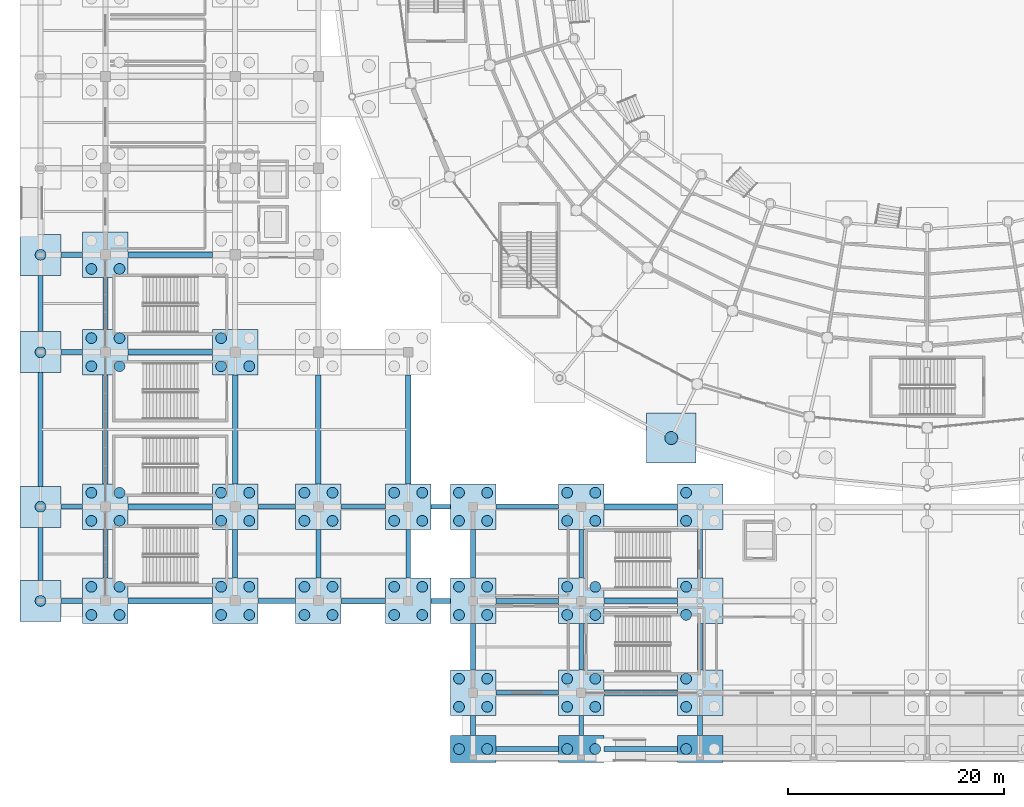
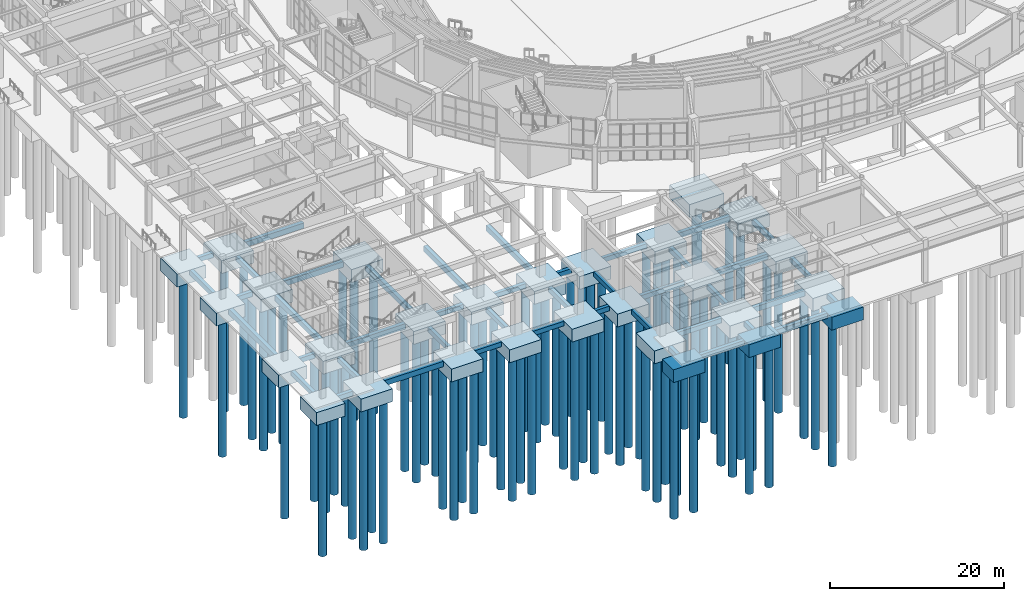
# One storey, part 1 of 121: 81 piles, 71 footings.
"""IFC4 building model written with IfcOpenShell, lengths in metres."""

from ifc_helpers import new_model, si_unit, direction, frame, origin, origin_2d, place, context, subcontext, project, spatial, rectangle, circle, extrude, material, material_profile, profile_set, type_object, element, save


model = new_model("IFC4")

# Units and contexts
model_context = context("Model", 3, precision=1e-05, world=origin(), true_north=direction((0.0, 1.0)))
body_context = subcontext(model_context, "Body", "Model", "MODEL_VIEW")
ifc_project = project(units=[si_unit("LENGTHUNIT", "METRE"), si_unit("AREAUNIT", "SQUARE_METRE"), si_unit("VOLUMEUNIT", "CUBIC_METRE"), si_unit("PLANEANGLEUNIT", "RADIAN"), si_unit("MASSUNIT", "GRAM", prefix="KILO")], contexts=[model_context])

# Site, building, storey
site_placement = place(None, origin())
site = spatial("IfcSite", under=ifc_project, at=site_placement, CompositionType="ELEMENT")
building_placement = place(site_placement, origin())
building = spatial("IfcBuilding", under=site, at=building_placement, Name="Cuetzalor Civic Arena", CompositionType="ELEMENT")
storey_placement = place(building_placement, origin())
storey = spatial("IfcBuildingStorey", under=building, at=storey_placement, Name="L00", CompositionType="ELEMENT", Elevation=0.0)

# Piles
ifc_material_1 = material(Name="Concrete C40/50", Category="concrete")
ifc_material_profile_1 = material_profile(ifc_material_1, circle(Radius=0.5, at=origin_2d()), Name="BORED PILE D1000")
ifc_profile_set_1 = profile_set([ifc_material_profile_1], Name="Concrete C40/50")
pile_type_1 = type_object("IfcPileType", Name="BoredPile_D1000", PredefinedType="BORED", material=ifc_profile_set_1)
for number, where, z_axis, x_axis, name in (
    (1, (-43.300048828125, -70.699951171875, -2.050048828125), (0.0, 0.0, -1.0), (1.0, 0.0, 0.0), "Bored Pile 0001"),
    (2, (-40.699951171875, -70.699951171875, -2.050048828125), (0.0, 0.0, -1.0), (1.0, 0.0, 0.0), "Bored Pile 0002"),
    (3, (-33.300048828125, -70.699951171875, -2.050048828125), (0.0, 0.0, -1.0), (1.0, 0.0, 0.0), "Bored Pile 0003"),
    (4, (-30.699951171875, -70.699951171875, -2.050048828125), (0.0, 0.0, -1.0), (1.0, 0.0, 0.0), "Bored Pile 0004"),
    (5, (-22.300048828125, -70.699951171875, -2.050048828125), (0.0, 0.0, -1.0), (1.0, 0.0, 0.0), "Bored Pile 0005"),
    (6, (-43.300048828125, -66.800048828125, -2.050048828125), (0.0, 0.0, -1.0), (1.0, 0.0, 0.0), "Bored Pile 0019"),
    (7, (-43.300048828125, -64.199951171875, -2.050048828125), (0.0, 0.0, -1.0), (1.0, 0.0, 0.0), "Bored Pile 0020"),
    (8, (-40.699951171875, -66.800048828125, -2.050048828125), (0.0, 0.0, -1.0), (1.0, 0.0, 0.0), "Bored Pile 0021"),
    (9, (-40.699951171875, -64.199951171875, -2.050048828125), (0.0, 0.0, -1.0), (1.0, 0.0, 0.0), "Bored Pile 0022"),
    (10, (-33.300048828125, -66.800048828125, -2.050048828125), (0.0, 0.0, -1.0), (1.0, 0.0, 0.0), "Bored Pile 0023"),
    (11, (-33.300048828125, -64.199951171875, -2.050048828125), (0.0, 0.0, -1.0), (1.0, 0.0, 0.0), "Bored Pile 0024"),
    (12, (-30.699951171875, -66.800048828125, -2.050048828125), (0.0, 0.0, -1.0), (1.0, 0.0, 0.0), "Bored Pile 0025"),
    (13, (-30.699951171875, -64.199951171875, -2.050048828125), (0.0, 0.0, -1.0), (1.0, 0.0, 0.0), "Bored Pile 0026"),
    (14, (-22.300048828125, -66.800048828125, -2.050048828125), (0.0, 0.0, -1.0), (1.0, 0.0, 0.0), "Bored Pile 0027"),
    (15, (-22.300048828125, -64.199951171875, -2.050048828125), (0.0, 0.0, -1.0), (1.0, 0.0, 0.0), "Bored Pile 0028"),
    (16, (-82.0, -57.0, -2.050048828125), (0.0, 0.0, -1.0), (1.0, 0.0, 0.0), "Bored Pile 0055"),
    (17, (-77.300048828125, -58.300048828125, -2.050048828125), (0.0, 0.0, -1.0), (1.0, 0.0, 0.0), "Bored Pile 0056"),
    (18, (-77.300048828125, -55.699951171875, -2.050048828125), (0.0, 0.0, -1.0), (1.0, 0.0, 0.0), "Bored Pile 0057"),
    (19, (-74.699951171875, -58.300048828125, -2.050048828125), (0.0, 0.0, -1.0), (1.0, 0.0, 0.0), "Bored Pile 0058"),
    (20, (-74.699951171875, -55.699951171875, -2.050048828125), (0.0, 0.0, -1.0), (1.0, 0.0, 0.0), "Bored Pile 0059"),
    (21, (-65.300048828125, -58.300048828125, -2.050048828125), (0.0, 0.0, -1.0), (1.0, 0.0, 0.0), "Bored Pile 0060"),
    (22, (-65.300048828125, -55.699951171875, -2.050048828125), (0.0, 0.0, -1.0), (1.0, 0.0, 0.0), "Bored Pile 0061"),
    (23, (-62.699951171875, -58.300048828125, -2.050048828125), (0.0, 0.0, -1.0), (1.0, 0.0, 0.0), "Bored Pile 0062"),
    (24, (-62.699951171875, -55.699951171875, -2.050048828125), (0.0, 0.0, -1.0), (1.0, 0.0, 0.0), "Bored Pile 0063"),
    (25, (-57.60009765625, -58.300048828125, -2.050048828125), (0.0, 0.0, -1.0), (1.0, 0.0, 0.0), "Bored Pile 0064"),
    (26, (-57.60009765625, -55.699951171875, -2.050048828125), (0.0, 0.0, -1.0), (1.0, 0.0, 0.0), "Bored Pile 0065"),
    (27, (-55.0, -58.300048828125, -2.050048828125), (0.0, 0.0, -1.0), (1.0, 0.0, 0.0), "Bored Pile 0066"),
    (28, (-55.0, -55.699951171875, -2.050048828125), (0.0, 0.0, -1.0), (1.0, 0.0, 0.0), "Bored Pile 0067"),
    (29, (-49.300048828125, -58.300048828125, -2.050048828125), (0.0, 0.0, -1.0), (1.0, 0.0, 0.0), "Bored Pile 0068"),
    (30, (-49.300048828125, -55.699951171875, -2.050048828125), (0.0, 0.0, -1.0), (1.0, 0.0, 0.0), "Bored Pile 0069"),
    (31, (-46.699951171875, -58.300048828125, -2.050048828125), (0.0, 0.0, -1.0), (1.0, 0.0, 0.0), "Bored Pile 0070"),
    (32, (-46.699951171875, -55.699951171875, -2.050048828125), (0.0, 0.0, -1.0), (1.0, 0.0, 0.0), "Bored Pile 0071"),
    (33, (-43.300048828125, -58.300048828125, -2.050048828125), (0.0, 0.0, -1.0), (1.0, 0.0, 0.0), "Bored Pile 0072"),
    (34, (-43.300048828125, -55.699951171875, -2.050048828125), (0.0, 0.0, -1.0), (1.0, 0.0, 0.0), "Bored Pile 0073"),
    (35, (-40.699951171875, -58.300048828125, -2.050048828125), (0.0, 0.0, -1.0), (1.0, 0.0, 0.0), "Bored Pile 0074"),
    (36, (-40.699951171875, -55.699951171875, -2.050048828125), (0.0, 0.0, -1.0), (1.0, 0.0, 0.0), "Bored Pile 0075"),
    (37, (-33.300048828125, -58.300048828125, -2.050048828125), (0.0, 0.0, -1.0), (1.0, 0.0, 0.0), "Bored Pile 0076"),
    (38, (-33.300048828125, -55.699951171875, -2.050048828125), (0.0, 0.0, -1.0), (1.0, 0.0, 0.0), "Bored Pile 0077"),
    (39, (-30.699951171875, -58.300048828125, -2.050048828125), (0.0, 0.0, -1.0), (1.0, 0.0, 0.0), "Bored Pile 0078"),
    (40, (-30.699951171875, -55.699951171875, -2.050048828125), (0.0, 0.0, -1.0), (1.0, 0.0, 0.0), "Bored Pile 0079"),
    (41, (-22.300048828125, -58.300048828125, -2.050048828125), (0.0, 0.0, -1.0), (1.0, 0.0, 0.0), "Bored Pile 0080"),
    (42, (-22.300048828125, -55.699951171875, -2.050048828125), (0.0, 0.0, -1.0), (1.0, 0.0, 0.0), "Bored Pile 0081"),
    (43, (-82.0, -48.300048828125, -2.050048828125), (0.0, 0.0, -1.0), (1.0, 0.0, 0.0), "Bored Pile 0121"),
    (44, (-77.300048828125, -49.60009765625, -2.050048828125), (0.0, 0.0, -1.0), (1.0, 0.0, 0.0), "Bored Pile 0122"),
    (45, (-77.300048828125, -47.0, -2.050048828125), (0.0, 0.0, -1.0), (1.0, 0.0, 0.0), "Bored Pile 0123"),
    (46, (-74.699951171875, -49.60009765625, -2.050048828125), (0.0, 0.0, -1.0), (1.0, 0.0, 0.0), "Bored Pile 0124"),
    (47, (-74.699951171875, -47.0, -2.050048828125), (0.0, 0.0, -1.0), (1.0, 0.0, 0.0), "Bored Pile 0125"),
    (48, (-65.300048828125, -49.60009765625, -2.050048828125), (0.0, 0.0, -1.0), (1.0, 0.0, 0.0), "Bored Pile 0126"),
    (49, (-65.300048828125, -47.0, -2.050048828125), (0.0, 0.0, -1.0), (1.0, 0.0, 0.0), "Bored Pile 0127"),
    (50, (-62.699951171875, -49.60009765625, -2.050048828125), (0.0, 0.0, -1.0), (1.0, 0.0, 0.0), "Bored Pile 0128"),
    (51, (-62.699951171875, -47.0, -2.050048828125), (0.0, 0.0, -1.0), (1.0, 0.0, 0.0), "Bored Pile 0129"),
    (52, (-57.60009765625, -49.60009765625, -2.050048828125), (0.0, 0.0, -1.0), (1.0, 0.0, 0.0), "Bored Pile 0130"),
    (53, (-57.60009765625, -47.0, -2.050048828125), (0.0, 0.0, -1.0), (1.0, 0.0, 0.0), "Bored Pile 0131"),
    (54, (-55.0, -49.60009765625, -2.050048828125), (0.0, 0.0, -1.0), (1.0, 0.0, 0.0), "Bored Pile 0132"),
    (55, (-55.0, -47.0, -2.050048828125), (0.0, 0.0, -1.0), (1.0, 0.0, 0.0), "Bored Pile 0133"),
    (56, (-49.300048828125, -49.60009765625, -2.050048828125), (0.0, 0.0, -1.0), (1.0, 0.0, 0.0), "Bored Pile 0134"),
    (57, (-49.300048828125, -47.0, -2.050048828125), (0.0, 0.0, -1.0), (1.0, 0.0, 0.0), "Bored Pile 0135"),
    (58, (-46.699951171875, -49.60009765625, -2.050048828125), (0.0, 0.0, -1.0), (1.0, 0.0, 0.0), "Bored Pile 0136"),
    (59, (-46.699951171875, -47.0, -2.050048828125), (0.0, 0.0, -1.0), (1.0, 0.0, 0.0), "Bored Pile 0137"),
    (60, (-43.300048828125, -49.60009765625, -2.050048828125), (0.0, 0.0, -1.0), (1.0, 0.0, 0.0), "Bored Pile 0138"),
    (61, (-43.300048828125, -47.0, -2.050048828125), (0.0, 0.0, -1.0), (1.0, 0.0, 0.0), "Bored Pile 0139"),
    (62, (-40.699951171875, -49.60009765625, -2.050048828125), (0.0, 0.0, -1.0), (1.0, 0.0, 0.0), "Bored Pile 0140"),
    (63, (-40.699951171875, -47.0, -2.050048828125), (0.0, 0.0, -1.0), (1.0, 0.0, 0.0), "Bored Pile 0141"),
    (64, (-33.300048828125, -49.60009765625, -2.050048828125), (0.0, 0.0, -1.0), (1.0, 0.0, 0.0), "Bored Pile 0142"),
    (65, (-33.300048828125, -47.0, -2.050048828125), (0.0, 0.0, -1.0), (1.0, 0.0, 0.0), "Bored Pile 0143"),
    (66, (-30.699951171875, -49.60009765625, -2.050048828125), (0.0, 0.0, -1.0), (1.0, 0.0, 0.0), "Bored Pile 0144"),
    (67, (-30.699951171875, -47.0, -2.050048828125), (0.0, 0.0, -1.0), (1.0, 0.0, 0.0), "Bored Pile 0145"),
    (68, (-22.300048828125, -49.60009765625, -2.050048828125), (0.0, 0.0, -1.0), (1.0, 0.0, 0.0), "Bored Pile 0146"),
    (69, (-22.300048828125, -47.0, -2.050048828125), (0.0, 0.0, -1.0), (1.0, 0.0, 0.0), "Bored Pile 0147"),
    (70, (-82.0, -34.0, -2.050048828125), (0.0, 0.0, -1.0), (1.0, 0.0, 0.0), "Bored Pile 0198"),
    (71, (-77.300048828125, -35.300048828125, -2.050048828125), (0.0, 0.0, -1.0), (1.0, 0.0, 0.0), "Bored Pile 0199"),
    (72, (-77.300048828125, -32.699951171875, -2.050048828125), (0.0, 0.0, -1.0), (1.0, 0.0, 0.0), "Bored Pile 0200"),
    (73, (-74.699951171875, -35.300048828125, -2.050048828125), (0.0, 0.0, -1.0), (1.0, 0.0, 0.0), "Bored Pile 0201"),
    (74, (-74.699951171875, -32.699951171875, -2.050048828125), (0.0, 0.0, -1.0), (1.0, 0.0, 0.0), "Bored Pile 0202"),
    (75, (-65.300048828125, -35.300048828125, -2.050048828125), (0.0, 0.0, -1.0), (1.0, 0.0, 0.0), "Bored Pile 0203"),
    (76, (-65.300048828125, -32.699951171875, -2.050048828125), (0.0, 0.0, -1.0), (1.0, 0.0, 0.0), "Bored Pile 0204"),
    (77, (-62.699951171875, -35.300048828125, -2.050048828125), (0.0, 0.0, -1.0), (1.0, 0.0, 0.0), "Bored Pile 0205"),
    (78, (-82.0, -25.0, -2.050048828125), (0.0, 0.0, -1.0), (1.0, 0.0, 0.0), "Bored Pile 0245"),
    (79, (-77.300048828125, -26.300048828125, -2.050048828125), (0.0, 0.0, -1.0), (1.0, 0.0, 0.0), "Bored Pile 0246"),
    (80, (-74.699951171875, -26.300048828125, -2.050048828125), (0.0, 0.0, -1.0), (1.0, 0.0, 0.0), "Bored Pile 0248"),
):
    element("IfcPile", number, at=place(storey_placement, frame(where, z_axis=z_axis, x_axis=x_axis)), inside=storey, type_object=pile_type_1, Name=name, PredefinedType="BORED", context=body_context, shape_type="SweptSolid", body=[
        extrude(circle(Radius=0.5, at=origin_2d()), origin(), (0.0, 0.0, 1.0), 19.949951171875),
    ])
ifc_material_2 = material(Name="Concrete C40/50", Category="concrete")
ifc_material_profile_2 = material_profile(ifc_material_2, circle(Radius=0.60009765625, at=origin_2d()), Name="BORED PILE D1200")
ifc_profile_set_2 = profile_set([ifc_material_profile_2], Name="Concrete C40/50")
pile_type_2 = type_object("IfcPileType", Name="BoredPile_D1200", PredefinedType="BORED", material=ifc_profile_set_2)
pile_placement = place(storey_placement, frame((-23.66845703125, -41.940185546875, -2.050048828125), z_axis=(0.0, 0.0, -1.0), x_axis=(1.0, 0.0, 0.0)))
element("IfcPile", 81, at=pile_placement, inside=storey, type_object=pile_type_2, Name="Bored Pile 0189", PredefinedType="BORED", context=body_context, shape_type="SweptSolid", body=[
    extrude(circle(Radius=0.60009765625, at=origin_2d()), origin(), (0.0, 0.0, 1.0), 19.949951171875),
])

# Footings
ifc_material_3 = material(Name="Concrete C40/50", Category="concrete")
footing_type_1 = type_object("IfcFootingType", Name="CombinedPileCap_A", PredefinedType="PILE_CAP", material=ifc_material_3)
for number, where, z_axis, x_axis, name in (
    (82, (-42.0, -65.5, -2.14990234375), (0.0, 0.0, 1.0), (1.0, 0.0, 0.0), "Combined Pile Cap 010"),
    (83, (-32.0, -65.5, -2.14990234375), (0.0, 0.0, 1.0), (1.0, 0.0, 0.0), "Combined Pile Cap 011"),
    (84, (-21.0, -65.5, -2.14990234375), (0.0, 0.0, 1.0), (1.0, 0.0, 0.0), "Combined Pile Cap 012"),
    (85, (-76.0, -57.0, -2.14990234375), (0.0, 0.0, 1.0), (1.0, 0.0, 0.0), "Combined Pile Cap 020"),
    (86, (-64.0, -57.0, -2.14990234375), (0.0, 0.0, 1.0), (1.0, 0.0, 0.0), "Combined Pile Cap 021"),
    (87, (-56.300048828125, -57.0, -2.14990234375), (0.0, 0.0, 1.0), (1.0, 0.0, 0.0), "Combined Pile Cap 022"),
    (88, (-48.0, -57.0, -2.14990234375), (0.0, 0.0, 1.0), (1.0, 0.0, 0.0), "Combined Pile Cap 023"),
    (89, (-42.0, -57.0, -2.14990234375), (0.0, 0.0, 1.0), (1.0, 0.0, 0.0), "Combined Pile Cap 024"),
    (90, (-32.0, -57.0, -2.14990234375), (0.0, 0.0, 1.0), (1.0, 0.0, 0.0), "Combined Pile Cap 025"),
    (91, (-21.0, -57.0, -2.14990234375), (0.0, 0.0, 1.0), (1.0, 0.0, 0.0), "Combined Pile Cap 026"),
    (92, (-76.0, -48.300048828125, -2.14990234375), (0.0, 0.0, 1.0), (1.0, 0.0, 0.0), "Combined Pile Cap 038"),
    (93, (-64.0, -48.300048828125, -2.14990234375), (0.0, 0.0, 1.0), (1.0, 0.0, 0.0), "Combined Pile Cap 039"),
    (94, (-56.300048828125, -48.300048828125, -2.14990234375), (0.0, 0.0, 1.0), (1.0, 0.0, 0.0), "Combined Pile Cap 040"),
    (95, (-48.0, -48.300048828125, -2.14990234375), (0.0, 0.0, 1.0), (1.0, 0.0, 0.0), "Combined Pile Cap 041"),
    (96, (-42.0, -48.300048828125, -2.14990234375), (0.0, 0.0, 1.0), (1.0, 0.0, 0.0), "Combined Pile Cap 042"),
    (97, (-32.0, -48.300048828125, -2.14990234375), (0.0, 0.0, 1.0), (1.0, 0.0, 0.0), "Combined Pile Cap 043"),
    (98, (-21.0, -48.300048828125, -2.14990234375), (0.0, 0.0, 1.0), (1.0, 0.0, 0.0), "Combined Pile Cap 044"),
    (99, (-76.0, -34.0, -2.14990234375), (0.0, 0.0, 1.0), (1.0, 0.0, 0.0), "Combined Pile Cap 066"),
    (100, (-64.0, -34.0, -2.14990234375), (0.0, 0.0, 1.0), (1.0, 0.0, 0.0), "Combined Pile Cap 067"),
    (101, (-76.0, -25.0, -2.14990234375), (0.0, 0.0, 1.0), (1.0, 0.0, 0.0), "Combined Pile Cap 089"),
):
    element("IfcFooting", number, at=place(storey_placement, frame(where, z_axis=z_axis, x_axis=x_axis)), inside=storey, type_object=footing_type_1, Name=name, PredefinedType="PILE_CAP", context=body_context, shape_type="SweptSolid", body=[
        extrude(rectangle(XDim=4.199951171875, YDim=4.199951171875, at=origin_2d()), origin(), (0.0, 0.0, 1.0), 1.800048828125),
    ])
ifc_material_4 = material(Name="Concrete C40/50", Category="concrete")
footing_type_2 = type_object("IfcFootingType", Name="CombinedPileCap_B", PredefinedType="PILE_CAP", material=ifc_material_4)
footing_1_placement = place(storey_placement, frame((-23.66845703125, -41.940185546875, -2.14990234375), z_axis=(0.0, 0.0, 1.0), x_axis=(1.0, 0.0, 0.0)))
element("IfcFooting", 102, at=footing_1_placement, inside=storey, type_object=footing_type_2, Name="Combined Pile Cap 056", PredefinedType="PILE_CAP", context=body_context, shape_type="SweptSolid", body=[
    extrude(rectangle(XDim=4.60009765625, YDim=4.60009765625, at=origin_2d()), origin(), (0.0, 0.0, 1.0), 1.800048828125),
])
ifc_material_5 = material(Name="Concrete C40/50", Category="concrete")
footing_type_3 = type_object("IfcFootingType", Name="CombinedPileCap_M", PredefinedType="PILE_CAP", material=ifc_material_5)
for number, where, z_axis, x_axis, name in (
    (103, (-82.0, -57.0, -2.14990234375), (0.0, 0.0, 1.0), (1.0, 0.0, 0.0), "Combined Pile Cap 019"),
    (104, (-82.0, -48.300048828125, -2.14990234375), (0.0, 0.0, 1.0), (1.0, 0.0, 0.0), "Combined Pile Cap 037"),
    (105, (-82.0, -34.0, -2.14990234375), (0.0, 0.0, 1.0), (1.0, 0.0, 0.0), "Combined Pile Cap 065"),
    (106, (-82.0, -25.0, -2.14990234375), (0.0, 0.0, 1.0), (1.0, 0.0, 0.0), "Combined Pile Cap 088"),
):
    element("IfcFooting", number, at=place(storey_placement, frame(where, z_axis=z_axis, x_axis=x_axis)), inside=storey, type_object=footing_type_3, Name=name, PredefinedType="PILE_CAP", context=body_context, shape_type="SweptSolid", body=[
        extrude(rectangle(XDim=3.800048828125, YDim=3.800048828125, at=origin_2d()), origin(), (0.0, 0.0, 1.0), 1.800048828125),
    ])
ifc_material_6 = material(Name="Concrete C40/50", Category="concrete")
ifc_material_profile_3 = material_profile(ifc_material_6, rectangle(XDim=0.449951171875, YDim=0.64990234375, at=origin_2d()), Name="RC 450x650")
ifc_profile_set_3 = profile_set([ifc_material_profile_3], Name="Concrete C40/50")
footing_type_4 = type_object("IfcFootingType", Name="GroundTieBeam_450x650", PredefinedType="FOOTING_BEAM", material=ifc_profile_set_3)
footing_2_placement = place(storey_placement, frame((-39.89990234375, -70.699951171875, -0.675048828125), z_axis=(1.0, 0.0, 0.0), x_axis=(0.0, 1.0, 0.0)))
element("IfcFooting", 107, at=footing_2_placement, inside=storey, type_object=footing_type_4, Name="Ground Tie Beam 001", PredefinedType="FOOTING_BEAM", context=body_context, shape_type="SweptSolid", body=[
    extrude(rectangle(XDim=0.449951171875, YDim=0.64990234375, at=origin_2d()), origin(), (0.0, 0.0, 1.0), 5.7998046875),
])
for number, where, z_axis, x_axis, name in (
    (108, (-42.0, -69.449951171875, -0.675048828125), (0.0, 1.0, 0.0), (-1.0, 0.0, 0.0), "Ground Tie Beam 002"),
    (109, (-32.0, -69.449951171875, -0.675048828125), (0.0, 1.0, 0.0), (-1.0, 0.0, 0.0), "Ground Tie Beam 004"),
    (110, (-21.0, -69.449951171875, -0.675048828125), (0.0, 1.0, 0.0), (-1.0, 0.0, 0.0), "Ground Tie Beam 006"),
):
    element("IfcFooting", number, at=place(storey_placement, frame(where, z_axis=z_axis, x_axis=x_axis)), inside=storey, type_object=footing_type_4, Name=name, PredefinedType="FOOTING_BEAM", context=body_context, shape_type="SweptSolid", body=[
        extrude(rectangle(XDim=0.449951171875, YDim=0.64990234375, at=origin_2d()), origin(), (0.0, 0.0, 1.0), 1.849853515625),
    ])
footing_3_placement = place(storey_placement, frame((-39.89990234375, -65.5, -0.675048828125), z_axis=(1.0, 0.0, 0.0), x_axis=(0.0, 1.0, 0.0)))
element("IfcFooting", 111, at=footing_3_placement, inside=storey, type_object=footing_type_4, Name="Ground Tie Beam 018", PredefinedType="FOOTING_BEAM", context=body_context, shape_type="SweptSolid", body=[
    extrude(rectangle(XDim=0.449951171875, YDim=0.64990234375, at=origin_2d()), origin(), (0.0, 0.0, 1.0), 5.7998046875),
])
for number, where, z_axis, x_axis, name in (
    (112, (-42.0, -63.39990234375, -0.675048828125), (0.0, 1.0, 0.0), (-1.0, 0.0, 0.0), "Ground Tie Beam 019"),
    (113, (-32.0, -63.39990234375, -0.675048828125), (0.0, 1.0, 0.0), (-1.0, 0.0, 0.0), "Ground Tie Beam 021"),
    (114, (-21.0, -63.39990234375, -0.675048828125), (0.0, 1.0, 0.0), (-1.0, 0.0, 0.0), "Ground Tie Beam 023"),
):
    element("IfcFooting", number, at=place(storey_placement, frame(where, z_axis=z_axis, x_axis=x_axis)), inside=storey, type_object=footing_type_4, Name=name, PredefinedType="FOOTING_BEAM", context=body_context, shape_type="SweptSolid", body=[
        extrude(rectangle(XDim=0.449951171875, YDim=0.64990234375, at=origin_2d()), origin(), (0.0, 0.0, 1.0), 4.2998046875),
    ])
footing_4_placement = place(storey_placement, frame((-80.10009765625, -57.0, -0.675048828125), z_axis=(1.0, 0.0, 0.0), x_axis=(0.0, 1.0, 0.0)))
element("IfcFooting", 115, at=footing_4_placement, inside=storey, type_object=footing_type_4, Name="Ground Tie Beam 034", PredefinedType="FOOTING_BEAM", context=body_context, shape_type="SweptSolid", body=[
    extrude(rectangle(XDim=0.449951171875, YDim=0.64990234375, at=origin_2d()), origin(), (0.0, 0.0, 1.0), 2.0),
])
footing_5_placement = place(storey_placement, frame((-82.0, -55.10009765625, -0.675048828125), z_axis=(0.0, 1.0, 0.0), x_axis=(-1.0, 0.0, 0.0)))
element("IfcFooting", 116, at=footing_5_placement, inside=storey, type_object=footing_type_4, Name="Ground Tie Beam 035", PredefinedType="FOOTING_BEAM", context=body_context, shape_type="SweptSolid", body=[
    extrude(rectangle(XDim=0.449951171875, YDim=0.64990234375, at=origin_2d()), origin(), (0.0, 0.0, 1.0), 4.900146484375),
])
footing_6_placement = place(storey_placement, frame((-76.0, -54.89990234375, -0.675048828125), z_axis=(0.0, 1.0, 0.0), x_axis=(-1.0, 0.0, 0.0)))
element("IfcFooting", 117, at=footing_6_placement, inside=storey, type_object=footing_type_4, Name="Ground Tie Beam 037", PredefinedType="FOOTING_BEAM", context=body_context, shape_type="SweptSolid", body=[
    extrude(rectangle(XDim=0.449951171875, YDim=0.64990234375, at=origin_2d()), origin(), (0.0, 0.0, 1.0), 4.5),
])
footing_7_placement = place(storey_placement, frame((-61.89990234375, -57.0, -0.675048828125), z_axis=(1.0, 0.0, 0.0), x_axis=(0.0, 1.0, 0.0)))
element("IfcFooting", 118, at=footing_7_placement, inside=storey, type_object=footing_type_4, Name="Ground Tie Beam 038", PredefinedType="FOOTING_BEAM", context=body_context, shape_type="SweptSolid", body=[
    extrude(rectangle(XDim=0.449951171875, YDim=0.64990234375, at=origin_2d()), origin(), (0.0, 0.0, 1.0), 3.5),
])
footing_8_placement = place(storey_placement, frame((-64.0, -54.89990234375, -0.675048828125), z_axis=(0.0, 1.0, 0.0), x_axis=(-1.0, 0.0, 0.0)))
element("IfcFooting", 119, at=footing_8_placement, inside=storey, type_object=footing_type_4, Name="Ground Tie Beam 039", PredefinedType="FOOTING_BEAM", context=body_context, shape_type="SweptSolid", body=[
    extrude(rectangle(XDim=0.449951171875, YDim=0.64990234375, at=origin_2d()), origin(), (0.0, 0.0, 1.0), 4.5),
])
footing_9_placement = place(storey_placement, frame((-54.199951171875, -57.0, -0.675048828125), z_axis=(1.0, 0.0, 0.0), x_axis=(0.0, 1.0, 0.0)))
element("IfcFooting", 120, at=footing_9_placement, inside=storey, type_object=footing_type_4, Name="Ground Tie Beam 040", PredefinedType="FOOTING_BEAM", context=body_context, shape_type="SweptSolid", body=[
    extrude(rectangle(XDim=0.449951171875, YDim=0.64990234375, at=origin_2d()), origin(), (0.0, 0.0, 1.0), 4.099853515625),
])
footing_10_placement = place(storey_placement, frame((-56.300048828125, -54.89990234375, -0.675048828125), z_axis=(0.0, 1.0, 0.0), x_axis=(-1.0, 0.0, 0.0)))
element("IfcFooting", 121, at=footing_10_placement, inside=storey, type_object=footing_type_4, Name="Ground Tie Beam 041", PredefinedType="FOOTING_BEAM", context=body_context, shape_type="SweptSolid", body=[
    extrude(rectangle(XDim=0.449951171875, YDim=0.64990234375, at=origin_2d()), origin(), (0.0, 0.0, 1.0), 4.5),
])
footing_11_placement = place(storey_placement, frame((-45.89990234375, -57.0, -0.675048828125), z_axis=(1.0, 0.0, 0.0), x_axis=(0.0, 1.0, 0.0)))
element("IfcFooting", 122, at=footing_11_placement, inside=storey, type_object=footing_type_4, Name="Ground Tie Beam 042", PredefinedType="FOOTING_BEAM", context=body_context, shape_type="SweptSolid", body=[
    extrude(rectangle(XDim=0.449951171875, YDim=0.64990234375, at=origin_2d()), origin(), (0.0, 0.0, 1.0), 1.7998046875),
])
footing_12_placement = place(storey_placement, frame((-48.0, -54.89990234375, -0.675048828125), z_axis=(0.0, 1.0, 0.0), x_axis=(-1.0, 0.0, 0.0)))
element("IfcFooting", 123, at=footing_12_placement, inside=storey, type_object=footing_type_4, Name="Ground Tie Beam 043", PredefinedType="FOOTING_BEAM", context=body_context, shape_type="SweptSolid", body=[
    extrude(rectangle(XDim=0.449951171875, YDim=0.64990234375, at=origin_2d()), origin(), (0.0, 0.0, 1.0), 4.5),
])
footing_13_placement = place(storey_placement, frame((-39.89990234375, -57.0, -0.675048828125), z_axis=(1.0, 0.0, 0.0), x_axis=(0.0, 1.0, 0.0)))
element("IfcFooting", 124, at=footing_13_placement, inside=storey, type_object=footing_type_4, Name="Ground Tie Beam 044", PredefinedType="FOOTING_BEAM", context=body_context, shape_type="SweptSolid", body=[
    extrude(rectangle(XDim=0.449951171875, YDim=0.64990234375, at=origin_2d()), origin(), (0.0, 0.0, 1.0), 5.7998046875),
])
for number, where, z_axis, x_axis, name in (
    (125, (-42.0, -54.89990234375, -0.675048828125), (0.0, 1.0, 0.0), (-1.0, 0.0, 0.0), "Ground Tie Beam 045"),
    (126, (-32.0, -54.89990234375, -0.675048828125), (0.0, 1.0, 0.0), (-1.0, 0.0, 0.0), "Ground Tie Beam 047"),
    (127, (-21.0, -54.89990234375, -0.675048828125), (0.0, 1.0, 0.0), (-1.0, 0.0, 0.0), "Ground Tie Beam 049"),
):
    element("IfcFooting", number, at=place(storey_placement, frame(where, z_axis=z_axis, x_axis=x_axis)), inside=storey, type_object=footing_type_4, Name=name, PredefinedType="FOOTING_BEAM", context=body_context, shape_type="SweptSolid", body=[
        extrude(rectangle(XDim=0.449951171875, YDim=0.64990234375, at=origin_2d()), origin(), (0.0, 0.0, 1.0), 4.5),
    ])
footing_14_placement = place(storey_placement, frame((-80.10009765625, -48.300048828125, -0.675048828125), z_axis=(1.0, 0.0, 0.0), x_axis=(0.0, 1.0, 0.0)))
element("IfcFooting", 128, at=footing_14_placement, inside=storey, type_object=footing_type_4, Name="Ground Tie Beam 066", PredefinedType="FOOTING_BEAM", context=body_context, shape_type="SweptSolid", body=[
    extrude(rectangle(XDim=0.449951171875, YDim=0.64990234375, at=origin_2d()), origin(), (0.0, 0.0, 1.0), 2.0),
])
footing_15_placement = place(storey_placement, frame((-61.89990234375, -48.300048828125, -0.675048828125), z_axis=(1.0, 0.0, 0.0), x_axis=(0.0, 1.0, 0.0)))
element("IfcFooting", 129, at=footing_15_placement, inside=storey, type_object=footing_type_4, Name="Ground Tie Beam 070", PredefinedType="FOOTING_BEAM", context=body_context, shape_type="SweptSolid", body=[
    extrude(rectangle(XDim=0.449951171875, YDim=0.64990234375, at=origin_2d()), origin(), (0.0, 0.0, 1.0), 3.5),
])
footing_16_placement = place(storey_placement, frame((-54.199951171875, -48.300048828125, -0.675048828125), z_axis=(1.0, 0.0, 0.0), x_axis=(0.0, 1.0, 0.0)))
element("IfcFooting", 130, at=footing_16_placement, inside=storey, type_object=footing_type_4, Name="Ground Tie Beam 072", PredefinedType="FOOTING_BEAM", context=body_context, shape_type="SweptSolid", body=[
    extrude(rectangle(XDim=0.449951171875, YDim=0.64990234375, at=origin_2d()), origin(), (0.0, 0.0, 1.0), 4.099853515625),
])
footing_17_placement = place(storey_placement, frame((-45.89990234375, -48.300048828125, -0.675048828125), z_axis=(1.0, 0.0, 0.0), x_axis=(0.0, 1.0, 0.0)))
element("IfcFooting", 131, at=footing_17_placement, inside=storey, type_object=footing_type_4, Name="Ground Tie Beam 074", PredefinedType="FOOTING_BEAM", context=body_context, shape_type="SweptSolid", body=[
    extrude(rectangle(XDim=0.449951171875, YDim=0.64990234375, at=origin_2d()), origin(), (0.0, 0.0, 1.0), 1.7998046875),
])
footing_18_placement = place(storey_placement, frame((-39.89990234375, -48.300048828125, -0.675048828125), z_axis=(1.0, 0.0, 0.0), x_axis=(0.0, 1.0, 0.0)))
element("IfcFooting", 132, at=footing_18_placement, inside=storey, type_object=footing_type_4, Name="Ground Tie Beam 076", PredefinedType="FOOTING_BEAM", context=body_context, shape_type="SweptSolid", body=[
    extrude(rectangle(XDim=0.449951171875, YDim=0.64990234375, at=origin_2d()), origin(), (0.0, 0.0, 1.0), 5.7998046875),
])
footing_19_placement = place(storey_placement, frame((-80.10009765625, -34.0, -0.675048828125), z_axis=(1.0, 0.0, 0.0), x_axis=(0.0, 1.0, 0.0)))
element("IfcFooting", 133, at=footing_19_placement, inside=storey, type_object=footing_type_4, Name="Ground Tie Beam 092", PredefinedType="FOOTING_BEAM", context=body_context, shape_type="SweptSolid", body=[
    extrude(rectangle(XDim=0.449951171875, YDim=0.64990234375, at=origin_2d()), origin(), (0.0, 0.0, 1.0), 2.0),
])
footing_20_placement = place(storey_placement, frame((-82.0, -32.10009765625, -0.675048828125), z_axis=(0.0, 1.0, 0.0), x_axis=(-1.0, 0.0, 0.0)))
element("IfcFooting", 134, at=footing_20_placement, inside=storey, type_object=footing_type_4, Name="Ground Tie Beam 093", PredefinedType="FOOTING_BEAM", context=body_context, shape_type="SweptSolid", body=[
    extrude(rectangle(XDim=0.449951171875, YDim=0.64990234375, at=origin_2d()), origin(), (0.0, 0.0, 1.0), 5.2001953125),
])
footing_21_placement = place(storey_placement, frame((-76.0, -31.89990234375, -0.675048828125), z_axis=(0.0, 1.0, 0.0), x_axis=(-1.0, 0.0, 0.0)))
element("IfcFooting", 135, at=footing_21_placement, inside=storey, type_object=footing_type_4, Name="Ground Tie Beam 095", PredefinedType="FOOTING_BEAM", context=body_context, shape_type="SweptSolid", body=[
    extrude(rectangle(XDim=0.449951171875, YDim=0.64990234375, at=origin_2d()), origin(), (0.0, 0.0, 1.0), 4.7998046875),
])
footing_22_placement = place(storey_placement, frame((-80.10009765625, -25.0, -0.675048828125), z_axis=(1.0, 0.0, 0.0), x_axis=(0.0, 1.0, 0.0)))
element("IfcFooting", 136, at=footing_22_placement, inside=storey, type_object=footing_type_4, Name="Ground Tie Beam 109", PredefinedType="FOOTING_BEAM", context=body_context, shape_type="SweptSolid", body=[
    extrude(rectangle(XDim=0.449951171875, YDim=0.64990234375, at=origin_2d()), origin(), (0.0, 0.0, 1.0), 2.0),
])
ifc_material_7 = material(Name="Concrete C40/50", Category="concrete")
ifc_material_profile_4 = material_profile(ifc_material_7, rectangle(XDim=0.5, YDim=0.75, at=origin_2d()), Name="RC 500x750")
ifc_profile_set_4 = profile_set([ifc_material_profile_4], Name="Concrete C40/50")
footing_type_5 = type_object("IfcFootingType", Name="GroundTieBeam_500x750", PredefinedType="FOOTING_BEAM", material=ifc_profile_set_4)
for number, where, z_axis, x_axis, name in (
    (137, (-29.89990234375, -70.699951171875, -0.72509765625), (1.0, 0.0, 0.0), (0.0, 1.0, 0.0), "Ground Tie Beam 003"),
    (138, (-29.89990234375, -65.5, -0.72509765625), (1.0, 0.0, 0.0), (0.0, 1.0, 0.0), "Ground Tie Beam 020"),
):
    element("IfcFooting", number, at=place(storey_placement, frame(where, z_axis=z_axis, x_axis=x_axis)), inside=storey, type_object=footing_type_5, Name=name, PredefinedType="FOOTING_BEAM", context=body_context, shape_type="SweptSolid", body=[
        extrude(rectangle(XDim=0.5, YDim=0.75, at=origin_2d()), origin(), (0.0, 0.0, 1.0), 6.7998046875),
    ])
footing_23_placement = place(storey_placement, frame((-73.89990234375, -57.0, -0.72509765625), z_axis=(1.0, 0.0, 0.0), x_axis=(0.0, 1.0, 0.0)))
element("IfcFooting", 139, at=footing_23_placement, inside=storey, type_object=footing_type_5, Name="Ground Tie Beam 036", PredefinedType="FOOTING_BEAM", context=body_context, shape_type="SweptSolid", body=[
    extrude(rectangle(XDim=0.5, YDim=0.75, at=origin_2d()), origin(), (0.0, 0.0, 1.0), 7.7998046875),
])
footing_24_placement = place(storey_placement, frame((-29.89990234375, -57.0, -0.72509765625), z_axis=(1.0, 0.0, 0.0), x_axis=(0.0, 1.0, 0.0)))
element("IfcFooting", 140, at=footing_24_placement, inside=storey, type_object=footing_type_5, Name="Ground Tie Beam 046", PredefinedType="FOOTING_BEAM", context=body_context, shape_type="SweptSolid", body=[
    extrude(rectangle(XDim=0.5, YDim=0.75, at=origin_2d()), origin(), (0.0, 0.0, 1.0), 6.7998046875),
])
footing_25_placement = place(storey_placement, frame((-82.0, -46.39990234375, -0.72509765625), z_axis=(0.0, 1.0, 0.0), x_axis=(-1.0, 0.0, 0.0)))
element("IfcFooting", 141, at=footing_25_placement, inside=storey, type_object=footing_type_5, Name="Ground Tie Beam 067", PredefinedType="FOOTING_BEAM", context=body_context, shape_type="SweptSolid", body=[
    extrude(rectangle(XDim=0.5, YDim=0.75, at=origin_2d()), origin(), (0.0, 0.0, 1.0), 10.5),
])
footing_26_placement = place(storey_placement, frame((-73.89990234375, -48.300048828125, -0.72509765625), z_axis=(1.0, 0.0, 0.0), x_axis=(0.0, 1.0, 0.0)))
element("IfcFooting", 142, at=footing_26_placement, inside=storey, type_object=footing_type_5, Name="Ground Tie Beam 068", PredefinedType="FOOTING_BEAM", context=body_context, shape_type="SweptSolid", body=[
    extrude(rectangle(XDim=0.5, YDim=0.75, at=origin_2d()), origin(), (0.0, 0.0, 1.0), 7.7998046875),
])
for number, where, z_axis, x_axis, name in (
    (143, (-76.0, -46.199951171875, -0.72509765625), (0.0, 1.0, 0.0), (-1.0, 0.0, 0.0), "Ground Tie Beam 069"),
    (144, (-64.0, -46.199951171875, -0.72509765625), (0.0, 1.0, 0.0), (-1.0, 0.0, 0.0), "Ground Tie Beam 071"),
    (145, (-56.300048828125, -46.199951171875, -0.72509765625), (0.0, 1.0, 0.0), (-1.0, 0.0, 0.0), "Ground Tie Beam 073"),
    (146, (-48.0, -46.199951171875, -0.72509765625), (0.0, 1.0, 0.0), (-1.0, 0.0, 0.0), "Ground Tie Beam 075"),
):
    element("IfcFooting", number, at=place(storey_placement, frame(where, z_axis=z_axis, x_axis=x_axis)), inside=storey, type_object=footing_type_5, Name=name, PredefinedType="FOOTING_BEAM", context=body_context, shape_type="SweptSolid", body=[
        extrude(rectangle(XDim=0.5, YDim=0.75, at=origin_2d()), origin(), (0.0, 0.0, 1.0), 10.099853515625),
    ])
footing_27_placement = place(storey_placement, frame((-29.89990234375, -48.300048828125, -0.72509765625), z_axis=(1.0, 0.0, 0.0), x_axis=(0.0, 1.0, 0.0)))
element("IfcFooting", 147, at=footing_27_placement, inside=storey, type_object=footing_type_5, Name="Ground Tie Beam 077", PredefinedType="FOOTING_BEAM", context=body_context, shape_type="SweptSolid", body=[
    extrude(rectangle(XDim=0.5, YDim=0.75, at=origin_2d()), origin(), (0.0, 0.0, 1.0), 6.7998046875),
])
for number, where, z_axis, x_axis, name in (
    (148, (-73.89990234375, -34.0, -0.72509765625), (1.0, 0.0, 0.0), (0.0, 1.0, 0.0), "Ground Tie Beam 094"),
    (149, (-73.89990234375, -25.0, -0.72509765625), (1.0, 0.0, 0.0), (0.0, 1.0, 0.0), "Ground Tie Beam 111"),
):
    element("IfcFooting", number, at=place(storey_placement, frame(where, z_axis=z_axis, x_axis=x_axis)), inside=storey, type_object=footing_type_5, Name=name, PredefinedType="FOOTING_BEAM", context=body_context, shape_type="SweptSolid", body=[
        extrude(rectangle(XDim=0.5, YDim=0.75, at=origin_2d()), origin(), (0.0, 0.0, 1.0), 7.7998046875),
    ])
ifc_material_8 = material(Name="Concrete C40/50", Category="concrete")
footing_type_6 = type_object("IfcFootingType", Name="PerimeterEdgePileCap_2P", PredefinedType="PILE_CAP", material=ifc_material_8)
for number, where, z_axis, x_axis, name in (
    (150, (-42.0, -70.699951171875, -2.14990234375), (0.0, 0.0, 1.0), (1.0, 0.0, 0.0), "Combined Pile Cap 001"),
    (151, (-32.0, -70.699951171875, -2.14990234375), (0.0, 0.0, 1.0), (1.0, 0.0, 0.0), "Combined Pile Cap 002"),
    (152, (-21.0, -70.699951171875, -2.14990234375), (0.0, 0.0, 1.0), (1.0, 0.0, 0.0), "Combined Pile Cap 003"),
):
    element("IfcFooting", number, at=place(storey_placement, frame(where, z_axis=z_axis, x_axis=x_axis)), inside=storey, type_object=footing_type_6, Name=name, PredefinedType="PILE_CAP", context=body_context, shape_type="SweptSolid", body=[
        extrude(rectangle(XDim=4.199951171875, YDim=2.5, at=origin_2d()), origin(), (0.0, 0.0, 1.0), 1.800048828125),
    ])

save(model, "model.ifc")
